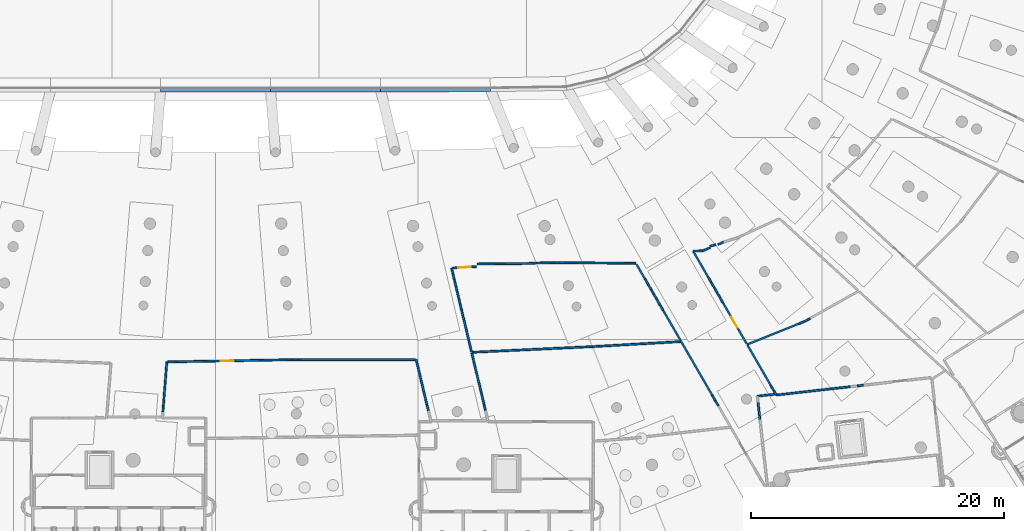
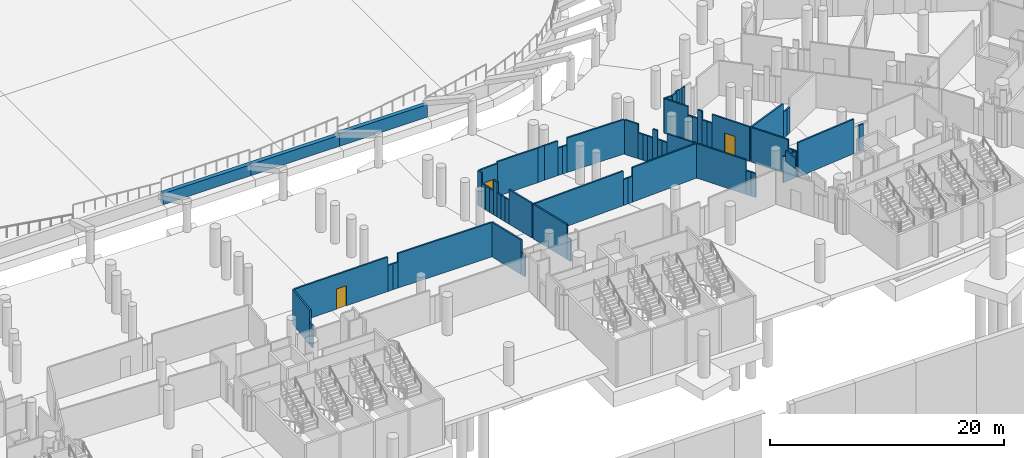
# One storey, part 53 of 142: 65 walls, 3 doors, 3 openings.
"""IFC4 building model written with IfcOpenShell, lengths in metres."""

from ifc_helpers import new_model, si_unit, direction, frame, frame_2d, origin, place, context, subcontext, project, spatial, rectangle, extrude, material, layer, layer_set, type_object, element, fill, save


model = new_model("IFC4")

# Units and contexts
model_context = context("Model", 3, precision=1e-05, world=origin(), true_north=direction((0.0, 1.0)))
body_context = subcontext(model_context, "Body", "Model", "MODEL_VIEW")
ifc_project = project(units=[si_unit("LENGTHUNIT", "METRE"), si_unit("AREAUNIT", "SQUARE_METRE"), si_unit("VOLUMEUNIT", "CUBIC_METRE"), si_unit("PLANEANGLEUNIT", "RADIAN"), si_unit("MASSUNIT", "GRAM", prefix="KILO")], contexts=[model_context])

# Site, building, storey
site_placement = place(None, origin())
site = spatial("IfcSite", under=ifc_project, at=site_placement, CompositionType="ELEMENT")
building_placement = place(site_placement, origin())
building = spatial("IfcBuilding", under=site, at=building_placement, Name="Meseta Stadium", CompositionType="ELEMENT")
storey_placement = place(building_placement, frame((0.0, 0.0, -4.0)))
storey = spatial("IfcBuildingStorey", under=building, at=storey_placement, Name="B1", CompositionType="ELEMENT", Elevation=-4.0)

# Walls
ifc_material_1 = material(Name="Masonry blockwork", Category="masonry")
ifc_layer_1 = layer(ifc_material_1, 0.14990234375)
ifc_layer_set_1 = layer_set([ifc_layer_1], Name="Partition 150")
wall_type_1 = type_object("IfcWallType", Name="Partition 150", PredefinedType="PARTITIONING", material=ifc_layer_set_1)
wall_1_placement = place(storey_placement, frame((15.876220703125, -81.57861328125, 0.0), z_axis=(0.0, 0.0, 1.0), x_axis=(0.231653421041, -0.972798382256, 0.0)))
element("IfcWall", 1, at=wall_1_placement, inside=storey, type_object=wall_type_1, Name="Partition B1 B1-cell23-1-0", PredefinedType="PARTITIONING", context=body_context, shape_type="SweptSolid", body=[
    extrude(rectangle(XDim=3.67919921875, YDim=0.14990234375, at=frame_2d((1.839599609375, 0.0))), origin(), (0.0, 0.0, 1.0), 3.60009765625),
])
wall_2_placement = place(storey_placement, frame((16.728515625, -85.15771484375, 0.0), z_axis=(0.0, 0.0, 1.0), x_axis=(0.231405261986, -0.972857443167, 0.0)))
element("IfcWall", 2, at=wall_2_placement, inside=storey, type_object=wall_type_1, Name="Partition B1 B1-cell23-1-0", PredefinedType="PARTITIONING", context=body_context, shape_type="SweptSolid", body=[
    extrude(rectangle(XDim=0.4599609375, YDim=0.14990234375, at=frame_2d((0.22998046875, 0.0))), origin(), (0.0, 0.0, 1.0), 2.300048828125),
])
wall_3_placement = place(storey_placement, frame((-4.166748046875, -85.70703125, 0.0), z_axis=(0.0, 0.0, 1.0), x_axis=(0.079529255553, 0.99683253233, 0.0)))
element("IfcWall", 3, at=wall_3_placement, inside=storey, type_object=wall_type_1, Name="Partition B1 B1-cell23-1-0", PredefinedType="PARTITIONING", context=body_context, shape_type="SweptSolid", body=[
    extrude(rectangle(XDim=0.494140625, YDim=0.14990234375, at=frame_2d((0.2470703125, 0.0))), origin(), (0.0, 0.0, 1.0), 2.300048828125),
])
wall_4_placement = place(storey_placement, frame((-4.12744140625, -85.21435546875, 0.0), z_axis=(0.0, 0.0, 1.0), x_axis=(0.079080692969, 0.99686821797, 0.0)))
element("IfcWall", 4, at=wall_4_placement, inside=storey, type_object=wall_type_1, Name="Partition B1 B1-cell23-1-0", PredefinedType="PARTITIONING", context=body_context, shape_type="SweptSolid", body=[
    extrude(rectangle(XDim=3.460693359375, YDim=0.14990234375, at=frame_2d((1.73046875, 0.0))), origin(), (0.0, 0.0, 1.0), 3.60009765625),
])

# Wall, opening, door
wall_5_placement = place(storey_placement, frame((-3.7783203125, -81.762939453125, 0.0), z_axis=(0.0, 0.0, 1.0), x_axis=(0.999845432781, 0.017581539953, 0.0)))
wall_5 = element("IfcWall", 5, at=wall_5_placement, inside=storey, type_object=wall_type_1, Name="Partition B1 B1-cell23-1-0", PredefinedType="PARTITIONING", context=body_context, shape_type="SweptSolid", body=[
    extrude(rectangle(XDim=9.33154296875, YDim=0.14990234375, at=frame_2d((4.665771484375, 0.0))), origin(), (0.0, 0.0, 1.0), 3.60009765625),
])
opening_1_placement = place(wall_5_placement, frame((4.199951171875, 0.0, 0.0)))
opening_1 = element("IfcOpeningElement", 6, at=opening_1_placement, cuts=wall_5, Name="Opening D499", PredefinedType="OPENING", context=body_context, shape_type="SweptSolid", body=[
    extrude(rectangle(XDim=1.0, YDim=2.10009765625, at=frame_2d((0.5, 1.050048828125))), frame((0.0, 0.0849609375, 0.0), z_axis=(0.0, -1.0, 0.0), x_axis=(1.0, 0.0, 0.0)), (0.0, 0.0, 1.0), 0.169921875),
])
ifc_material_2 = material(Name="Steel", Category="steel")
door_type = type_object("IfcDoorType", Name="Fire door 1000x2100 EI2 60", OperationType="NOTDEFINED", PredefinedType="DOOR", material=ifc_material_2)
door_1_placement = place(opening_1_placement, origin())
door_1 = element("IfcDoor", 7, at=door_1_placement, inside=storey, type_object=door_type, Name="Door D499", OperationType="SINGLE_SWING_LEFT", OverallHeight=2.10009765625, OverallWidth=1.0, PredefinedType="DOOR", context=body_context, shape_type="SweptSolid", body=[
    extrude(rectangle(XDim=1.0, YDim=2.10009765625, at=frame_2d((0.5, 1.050048828125))), frame((0.0, 0.02490234375, 0.0), z_axis=(0.0, -1.0, 0.0), x_axis=(1.0, 0.0, 0.0)), (0.0, 0.0, 1.0), 0.050048828125),
])
fill(opening_1, door_1)

# Walls
wall_6_placement = place(storey_placement, frame((5.5517578125, -81.598876953125, 0.0), z_axis=(0.0, 0.0, 1.0), x_axis=(0.999842479718, 0.017748683072, 0.0)))
element("IfcWall", 8, at=wall_6_placement, inside=storey, type_object=wall_type_1, Name="Partition B1 B1-cell23-1-0", PredefinedType="PARTITIONING", context=body_context, shape_type="SweptSolid", body=[
    extrude(rectangle(XDim=0.4951171875, YDim=0.14990234375, at=frame_2d((0.24755859375, 0.0))), origin(), (0.0, 0.0, 1.0), 2.699951171875),
])
wall_7_placement = place(storey_placement, frame((6.046875, -81.590087890625, 0.0), z_axis=(0.0, 0.0, 1.0), x_axis=(0.999999506438, 0.000993541487, 0.0)))
element("IfcWall", 9, at=wall_7_placement, inside=storey, type_object=wall_type_1, Name="Partition B1 B1-cell23-1-0", PredefinedType="PARTITIONING", context=body_context, shape_type="SweptSolid", body=[
    extrude(rectangle(XDim=0.491455078125, YDim=0.14990234375, at=frame_2d((0.24560546875, 0.0))), origin(), (0.0, 0.0, 1.0), 2.699951171875),
])
wall_8_placement = place(storey_placement, frame((6.538330078125, -81.589599609375, 0.0), z_axis=(0.0, 0.0, 1.0), x_axis=(0.99999932727, 0.001159939114, 0.0)))
element("IfcWall", 10, at=wall_8_placement, inside=storey, type_object=wall_type_1, Name="Partition B1 B1-cell23-1-0", PredefinedType="PARTITIONING", context=body_context, shape_type="SweptSolid", body=[
    extrude(rectangle(XDim=9.260986328125, YDim=0.14990234375, at=frame_2d((4.63037109375, 0.0))), origin(), (0.0, 0.0, 1.0), 3.60009765625),
])
wall_9_placement = place(storey_placement, frame((36.84228515625, -80.15380859375, 0.0), z_axis=(0.0, 0.0, 1.0), x_axis=(-0.998361145806, -0.057227812689, 0.0)))
element("IfcWall", 11, at=wall_9_placement, inside=storey, type_object=wall_type_1, Name="Partition B1 B1-cell24-1-0", PredefinedType="PARTITIONING", context=body_context, shape_type="SweptSolid", body=[
    extrude(rectangle(XDim=6.561279296875, YDim=0.14990234375, at=frame_2d((3.28076171875, 0.0))), origin(), (0.0, 0.0, 1.0), 3.60009765625),
])
wall_10_placement = place(storey_placement, frame((30.291748046875, -80.529296875, 0.0), z_axis=(0.0, 0.0, 1.0), x_axis=(-0.998356035671, -0.057316891401, 0.0)))
element("IfcWall", 12, at=wall_10_placement, inside=storey, type_object=wall_type_1, Name="Partition B1 B1-cell24-1-0", PredefinedType="PARTITIONING", context=body_context, shape_type="SweptSolid", body=[
    extrude(rectangle(XDim=0.468505859375, YDim=0.14990234375, at=frame_2d((0.234375, 0.0))), origin(), (0.0, 0.0, 1.0), 2.699951171875),
])
wall_11_placement = place(storey_placement, frame((29.823974609375, -80.55615234375, 0.0), z_axis=(0.0, 0.0, 1.0), x_axis=(-0.998899071447, -0.046911033473, 0.0)))
element("IfcWall", 13, at=wall_11_placement, inside=storey, type_object=wall_type_1, Name="Partition B1 B1-cell24-1-0", PredefinedType="PARTITIONING", context=body_context, shape_type="SweptSolid", body=[
    extrude(rectangle(XDim=0.478759765625, YDim=0.14990234375, at=frame_2d((0.2392578125, 0.0))), origin(), (0.0, 0.0, 1.0), 2.699951171875),
])
wall_12_placement = place(storey_placement, frame((29.345703125, -80.57861328125, 0.0), z_axis=(0.0, 0.0, 1.0), x_axis=(-0.998901839674, -0.04685205113, 0.0)))
element("IfcWall", 14, at=wall_12_placement, inside=storey, type_object=wall_type_1, Name="Partition B1 B1-cell24-1-0", PredefinedType="PARTITIONING", context=body_context, shape_type="SweptSolid", body=[
    extrude(rectangle(XDim=9.093017578125, YDim=0.14990234375, at=frame_2d((4.54638671875, 0.0))), origin(), (0.0, 0.0, 1.0), 3.60009765625),
])
wall_13_placement = place(storey_placement, frame((20.244873046875, -80.930419921875, 0.0), z_axis=(0.0, 0.0, 1.0), x_axis=(-0.231566636988, 0.972819044136, 0.0)))
element("IfcWall", 15, at=wall_13_placement, inside=storey, type_object=wall_type_1, Name="Partition B1 B1-cell24-1-0", PredefinedType="PARTITIONING", context=body_context, shape_type="SweptSolid", body=[
    extrude(rectangle(XDim=2.858154296875, YDim=0.14990234375, at=frame_2d((1.42919921875, 0.0))), origin(), (0.0, 0.0, 1.0), 3.60009765625),
])
wall_14_placement = place(storey_placement, frame((19.5830078125, -78.14990234375, 0.0), z_axis=(0.0, 0.0, 1.0), x_axis=(-0.23171054262, 0.972784778067, 0.0)))
element("IfcWall", 16, at=wall_14_placement, inside=storey, type_object=wall_type_1, Name="Partition B1 B1-cell24-1-0", PredefinedType="PARTITIONING", context=body_context, shape_type="SweptSolid", body=[
    extrude(rectangle(XDim=0.48876953125, YDim=0.14990234375, at=frame_2d((0.244384765625, 0.0))), origin(), (0.0, 0.0, 1.0), 2.5),
])
for number, where, z_axis, x_axis, name in (
    (17, (19.4697265625, -77.67431640625, 0.0), (0.0, 0.0, 1.0), (-0.231598034095, 0.972811569937, 0.0), "Partition B1 B1-cell24-1-0"),
    (18, (19.3564453125, -77.198486328125, 0.0), (0.0, 0.0, 1.0), (-0.231598034095, 0.972811569937, 0.0), "Partition B1 B1-cell24-1-0"),
):
    element("IfcWall", number, at=place(storey_placement, frame(where, z_axis=z_axis, x_axis=x_axis)), inside=storey, type_object=wall_type_1, Name=name, PredefinedType="PARTITIONING", context=body_context, shape_type="SweptSolid", body=[
        extrude(rectangle(XDim=0.489013671875, YDim=0.14990234375, at=frame_2d((0.24462890625, 0.0))), origin(), (0.0, 0.0, 1.0), 2.5),
    ])
wall_15_placement = place(storey_placement, frame((19.2431640625, -76.72265625, 0.0), z_axis=(0.0, 0.0, 1.0), x_axis=(-0.23171054262, 0.972784778067, 0.0)))
element("IfcWall", 19, at=wall_15_placement, inside=storey, type_object=wall_type_1, Name="Partition B1 B1-cell24-1-0", PredefinedType="PARTITIONING", context=body_context, shape_type="SweptSolid", body=[
    extrude(rectangle(XDim=0.48876953125, YDim=0.14990234375, at=frame_2d((0.244384765625, 0.0))), origin(), (0.0, 0.0, 1.0), 3.60009765625),
])
for number, where, z_axis, x_axis, name in (
    (20, (19.1298828125, -76.2470703125, 0.0), (0.0, 0.0, 1.0), (-0.231598034095, 0.972811569937, 0.0), "Partition B1 B1-cell24-1-0"),
    (21, (19.0166015625, -75.771240234375, 0.0), (0.0, 0.0, 1.0), (-0.231598034095, 0.972811569937, 0.0), "Partition B1 B1-cell24-1-0"),
    (22, (18.9033203125, -75.29541015625, 0.0), (0.0, 0.0, 1.0), (-0.231598034095, 0.972811569937, 0.0), "Partition B1 B1-cell24-1-0"),
):
    element("IfcWall", number, at=place(storey_placement, frame(where, z_axis=z_axis, x_axis=x_axis)), inside=storey, type_object=wall_type_1, Name=name, PredefinedType="PARTITIONING", context=body_context, shape_type="SweptSolid", body=[
        extrude(rectangle(XDim=0.489013671875, YDim=0.14990234375, at=frame_2d((0.24462890625, 0.0))), origin(), (0.0, 0.0, 1.0), 2.5),
    ])
wall_16_placement = place(storey_placement, frame((18.7900390625, -74.819580078125, 0.0), z_axis=(0.0, 0.0, 1.0), x_axis=(-0.23171054262, 0.972784778067, 0.0)))
element("IfcWall", 23, at=wall_16_placement, inside=storey, type_object=wall_type_1, Name="Partition B1 B1-cell24-1-0", PredefinedType="PARTITIONING", context=body_context, shape_type="SweptSolid", body=[
    extrude(rectangle(XDim=0.48876953125, YDim=0.14990234375, at=frame_2d((0.244384765625, 0.0))), origin(), (0.0, 0.0, 1.0), 3.60009765625),
])

# Wall, opening, door
wall_17_placement = place(storey_placement, frame((18.752685546875, -74.33935546875, 0.0), z_axis=(0.0, 0.0, 1.0), x_axis=(0.998171846441, 0.060439763179, 0.0)))
wall_17 = element("IfcWall", 24, at=wall_17_placement, inside=storey, type_object=wall_type_1, Name="Partition B1 B1-cell24-1-0", PredefinedType="PARTITIONING", context=body_context, shape_type="SweptSolid", body=[
    extrude(rectangle(XDim=1.8662109375, YDim=0.14990234375, at=frame_2d((0.93310546875, 0.0))), origin(), (0.0, 0.0, 1.0), 3.60009765625),
])
opening_2_placement = place(wall_17_placement, frame((0.449951171875, 0.0, 0.0)))
opening_2 = element("IfcOpeningElement", 25, at=opening_2_placement, cuts=wall_17, Name="Opening D501", PredefinedType="OPENING", context=body_context, shape_type="SweptSolid", body=[
    extrude(rectangle(XDim=1.0, YDim=2.10009765625, at=frame_2d((0.5, 1.050048828125))), frame((0.0, 0.0849609375, 0.0), z_axis=(0.0, -1.0, 0.0), x_axis=(1.0, 0.0, 0.0)), (0.0, 0.0, 1.0), 0.169921875),
])
door_2_placement = place(opening_2_placement, origin())
door_2 = element("IfcDoor", 26, at=door_2_placement, inside=storey, type_object=door_type, Name="Door D501", OperationType="SINGLE_SWING_RIGHT", OverallHeight=2.10009765625, OverallWidth=1.0, PredefinedType="DOOR", context=body_context, shape_type="SweptSolid", body=[
    extrude(rectangle(XDim=1.0, YDim=2.10009765625, at=frame_2d((0.5, 1.050048828125))), frame((0.0, 0.02490234375, 0.0), z_axis=(0.0, -1.0, 0.0), x_axis=(1.0, 0.0, 0.0)), (0.0, 0.0, 1.0), 0.050048828125),
])
fill(opening_2, door_2)

# Walls
wall_18_placement = place(storey_placement, frame((20.7080078125, -74.01416015625, 0.0), z_axis=(0.0, 0.0, 1.0), x_axis=(0.99995914517, 0.009039247263, 0.0)))
element("IfcWall", 27, at=wall_18_placement, inside=storey, type_object=wall_type_1, Name="Partition B1 B1-cell24-1-0", PredefinedType="PARTITIONING", context=body_context, shape_type="SweptSolid", body=[
    extrude(rectangle(XDim=4.0244140625, YDim=0.14990234375, at=frame_2d((2.01220703125, 0.0))), origin(), (0.0, 0.0, 1.0), 3.60009765625),
])
wall_19_placement = place(storey_placement, frame((24.732177734375, -73.977783203125, 0.0), z_axis=(0.0, 0.0, 1.0), x_axis=(0.998172640671, 0.060426644914, 0.0)))
element("IfcWall", 28, at=wall_19_placement, inside=storey, type_object=wall_type_1, Name="Partition B1 B1-cell24-1-0", PredefinedType="PARTITIONING", context=body_context, shape_type="SweptSolid", body=[
    extrude(rectangle(XDim=0.646484375, YDim=0.14990234375, at=frame_2d((0.3232421875, 0.0))), origin(), (0.0, 0.0, 1.0), 3.60009765625),
])
wall_20_placement = place(storey_placement, frame((25.37744140625, -73.938720703125, 0.0), z_axis=(0.0, 0.0, 1.0), x_axis=(0.999868874003, 0.016193665406, 0.0)))
element("IfcWall", 29, at=wall_20_placement, inside=storey, type_object=wall_type_1, Name="Partition B1 B1-cell24-1-0", PredefinedType="PARTITIONING", context=body_context, shape_type="SweptSolid", body=[
    extrude(rectangle(XDim=1.35693359375, YDim=0.14990234375, at=frame_2d((0.678466796875, 0.0))), origin(), (0.0, 0.0, 1.0), 3.60009765625),
])
wall_21_placement = place(storey_placement, frame((26.734130859375, -73.916748046875, 0.0), z_axis=(0.0, 0.0, 1.0), x_axis=(0.999868826807, 0.016196579268, 0.0)))
element("IfcWall", 30, at=wall_21_placement, inside=storey, type_object=wall_type_1, Name="Partition B1 B1-cell24-1-0", PredefinedType="PARTITIONING", context=body_context, shape_type="SweptSolid", body=[
    extrude(rectangle(XDim=0.4521484375, YDim=0.14990234375, at=frame_2d((0.22607421875, 0.0))), origin(), (0.0, 0.0, 1.0), 2.85009765625),
])
wall_22_placement = place(storey_placement, frame((27.186279296875, -73.909423828125, 0.0), z_axis=(0.0, 0.0, 1.0), x_axis=(0.999960599238, -0.008876934824, 0.0)))
element("IfcWall", 31, at=wall_22_placement, inside=storey, type_object=wall_type_1, Name="Partition B1 B1-cell24-1-0", PredefinedType="PARTITIONING", context=body_context, shape_type="SweptSolid", body=[
    extrude(rectangle(XDim=0.467529296875, YDim=0.14990234375, at=frame_2d((0.23388671875, 0.0))), origin(), (0.0, 0.0, 1.0), 2.85009765625),
])
wall_23_placement = place(storey_placement, frame((27.65380859375, -73.91357421875, 0.0), z_axis=(0.0, 0.0, 1.0), x_axis=(0.999961742838, -0.008747162952, 0.0)))
element("IfcWall", 32, at=wall_23_placement, inside=storey, type_object=wall_type_1, Name="Partition B1 B1-cell24-1-0", PredefinedType="PARTITIONING", context=body_context, shape_type="SweptSolid", body=[
    extrude(rectangle(XDim=5.610107421875, YDim=0.14990234375, at=frame_2d((2.80517578125, 0.0))), origin(), (0.0, 0.0, 1.0), 3.60009765625),
])
wall_24_placement = place(storey_placement, frame((33.307373046875, -74.0380859375, 0.0), z_axis=(0.0, 0.0, 1.0), x_axis=(0.500498691125, -0.865737292822, 0.0)))
element("IfcWall", 33, at=wall_24_placement, inside=storey, type_object=wall_type_1, Name="Partition B1 B1-cell24-1-0", PredefinedType="PARTITIONING", context=body_context, shape_type="SweptSolid", body=[
    extrude(rectangle(XDim=1.343017578125, YDim=0.14990234375, at=frame_2d((0.67138671875, 0.0))), origin(), (0.0, 0.0, 1.0), 3.60009765625),
])
for number, where, z_axis, x_axis, name in (
    (34, (33.9794921875, -75.20068359375, 0.0), (0.0, 0.0, 1.0), (0.500269066908, -0.865870002192, 0.0), "Partition B1 B1-cell24-1-0"),
    (35, (34.218017578125, -75.613525390625, 0.0), (0.0, 0.0, 1.0), (0.500269066908, -0.865870002192, 0.0), "Partition B1 B1-cell24-1-0"),
    (36, (34.45654296875, -76.0263671875, 0.0), (0.0, 0.0, 1.0), (0.500269066908, -0.865870002192, 0.0), "Partition B1 B1-cell24-1-0"),
):
    element("IfcWall", number, at=place(storey_placement, frame(where, z_axis=z_axis, x_axis=x_axis)), inside=storey, type_object=wall_type_1, Name=name, PredefinedType="PARTITIONING", context=body_context, shape_type="SweptSolid", body=[
        extrude(rectangle(XDim=0.476806640625, YDim=0.14990234375, at=frame_2d((0.23828125, 0.0))), origin(), (0.0, 0.0, 1.0), 2.699951171875),
    ])
wall_25_placement = place(storey_placement, frame((34.695068359375, -76.439208984375, 0.0), z_axis=(0.0, 0.0, 1.0), x_axis=(0.500490950841, -0.865741767576, 0.0)))
element("IfcWall", 37, at=wall_25_placement, inside=storey, type_object=wall_type_1, Name="Partition B1 B1-cell24-1-0", PredefinedType="PARTITIONING", context=body_context, shape_type="SweptSolid", body=[
    extrude(rectangle(XDim=0.4765625, YDim=0.14990234375, at=frame_2d((0.23828125, 0.0))), origin(), (0.0, 0.0, 1.0), 3.60009765625),
])
for number, where, z_axis, x_axis, name in (
    (38, (34.93359375, -76.851806640625, 0.0), (0.0, 0.0, 1.0), (0.500874756494, -0.865519773493, 0.0), "Partition B1 B1-cell24-1-0"),
    (39, (35.17236328125, -77.264404296875, 0.0), (0.0, 0.0, 1.0), (0.500269066908, -0.865870002192, 0.0), "Partition B1 B1-cell24-1-0"),
):
    element("IfcWall", number, at=place(storey_placement, frame(where, z_axis=z_axis, x_axis=x_axis)), inside=storey, type_object=wall_type_1, Name=name, PredefinedType="PARTITIONING", context=body_context, shape_type="SweptSolid", body=[
        extrude(rectangle(XDim=0.476806640625, YDim=0.14990234375, at=frame_2d((0.23828125, 0.0))), origin(), (0.0, 0.0, 1.0), 2.699951171875),
    ])
wall_26_placement = place(storey_placement, frame((35.410888671875, -77.67724609375, 0.0), z_axis=(0.0, 0.0, 1.0), x_axis=(0.500422625408, -0.865781263357, 0.0)))
element("IfcWall", 40, at=wall_26_placement, inside=storey, type_object=wall_type_1, Name="Partition B1 B1-cell24-1-0", PredefinedType="PARTITIONING", context=body_context, shape_type="SweptSolid", body=[
    extrude(rectangle(XDim=2.7763671875, YDim=0.14990234375, at=frame_2d((1.38818359375, 0.0))), origin(), (0.0, 0.0, 1.0), 3.60009765625),
])
wall_27_placement = place(storey_placement, frame((36.8671875, -80.197021484375, 0.0), z_axis=(0.0, 0.0, 1.0), x_axis=(0.50047176729, -0.865752857429, 0.0)))
element("IfcWall", 41, at=wall_27_placement, inside=storey, type_object=wall_type_1, Name="Partition B1 B1-cell24-2-0", PredefinedType="PARTITIONING", context=body_context, shape_type="SweptSolid", body=[
    extrude(rectangle(XDim=4.859619140625, YDim=0.14990234375, at=frame_2d((2.4296875, 0.0))), origin(), (0.0, 0.0, 1.0), 3.60009765625),
])
for number, where, z_axis, x_axis, name in (
    (42, (39.29931640625, -84.404296875, 0.0), (0.0, 0.0, 1.0), (0.500461757949, -0.86575864352, 0.0), "Partition B1 B1-cell24-2-0"),
    (43, (39.54248046875, -84.824951171875, 0.0), (0.0, 0.0, 1.0), (0.500461757949, -0.86575864352, 0.0), "Partition B1 B1-cell24-2-0"),
):
    element("IfcWall", number, at=place(storey_placement, frame(where, z_axis=z_axis, x_axis=x_axis)), inside=storey, type_object=wall_type_1, Name=name, PredefinedType="PARTITIONING", context=body_context, shape_type="SweptSolid", body=[
        extrude(rectangle(XDim=0.48583984375, YDim=0.14990234375, at=frame_2d((0.242919921875, 0.0))), origin(), (0.0, 0.0, 1.0), 2.5),
    ])
wall_28_placement = place(storey_placement, frame((21.35498046875, -85.59228515625, 0.0), z_axis=(0.0, 0.0, 1.0), x_axis=(-0.231809170102, 0.972761280406, 0.0)))
element("IfcWall", 44, at=wall_28_placement, inside=storey, type_object=wall_type_1, Name="Partition B1 B1-cell24-2-0", PredefinedType="PARTITIONING", context=body_context, shape_type="SweptSolid", body=[
    extrude(rectangle(XDim=0.466552734375, YDim=0.14990234375, at=frame_2d((0.2333984375, 0.0))), origin(), (0.0, 0.0, 1.0), 2.300048828125),
])
wall_29_placement = place(storey_placement, frame((21.246826171875, -85.138427734375, 0.0), z_axis=(0.0, 0.0, 1.0), x_axis=(-0.231615286229, 0.972807462546, 0.0)))
element("IfcWall", 45, at=wall_29_placement, inside=storey, type_object=wall_type_1, Name="Partition B1 B1-cell24-2-0", PredefinedType="PARTITIONING", context=body_context, shape_type="SweptSolid", body=[
    extrude(rectangle(XDim=4.198486328125, YDim=0.14990234375, at=frame_2d((2.09912109375, 0.0))), origin(), (0.0, 0.0, 1.0), 3.60009765625),
])
wall_30_placement = place(storey_placement, frame((47.0380859375, -78.318115234375, 0.0), z_axis=(0.0, 0.0, 1.0), x_axis=(-0.871868098828, -0.489740766371, 0.0)))
element("IfcWall", 46, at=wall_30_placement, inside=storey, type_object=wall_type_1, Name="Partition B1 B1-cell25-1-0", PredefinedType="PARTITIONING", context=body_context, shape_type="SweptSolid", body=[
    extrude(rectangle(XDim=0.489990234375, YDim=0.14990234375, at=frame_2d((0.2451171875, 0.0))), origin(), (0.0, 0.0, 1.0), 2.699951171875),
])
wall_31_placement = place(storey_placement, frame((46.61083984375, -78.55810546875, 0.0), z_axis=(0.0, 0.0, 1.0), x_axis=(-0.927719635042, -0.373277750151, 0.0)))
element("IfcWall", 47, at=wall_31_placement, inside=storey, type_object=wall_type_1, Name="Partition B1 B1-cell25-1-0", PredefinedType="PARTITIONING", context=body_context, shape_type="SweptSolid", body=[
    extrude(rectangle(XDim=0.490478515625, YDim=0.14990234375, at=frame_2d((0.2451171875, 0.0))), origin(), (0.0, 0.0, 1.0), 2.699951171875),
])
wall_32_placement = place(storey_placement, frame((46.15576171875, -78.7412109375, 0.0), z_axis=(0.0, 0.0, 1.0), x_axis=(-0.927823061979, -0.373020596832, 0.0)))
element("IfcWall", 48, at=wall_32_placement, inside=storey, type_object=wall_type_1, Name="Partition B1 B1-cell25-1-0", PredefinedType="PARTITIONING", context=body_context, shape_type="SweptSolid", body=[
    extrude(rectangle(XDim=4.41455078125, YDim=0.14990234375, at=frame_2d((2.207275390625, 0.0))), origin(), (0.0, 0.0, 1.0), 3.60009765625),
])

# Wall, opening, door
wall_33_placement = place(storey_placement, frame((42.02197265625, -80.322509765625, 0.0), z_axis=(0.0, 0.0, 1.0), x_axis=(-0.500394582155, 0.865797471786, 0.0)))
wall_33 = element("IfcWall", 49, at=wall_33_placement, inside=storey, type_object=wall_type_1, Name="Partition B1 B1-cell25-1-0", PredefinedType="PARTITIONING", context=body_context, shape_type="SweptSolid", body=[
    extrude(rectangle(XDim=3.72021484375, YDim=0.14990234375, at=frame_2d((1.860107421875, 0.0))), origin(), (0.0, 0.0, 1.0), 3.60009765625),
])
opening_3_placement = place(wall_33_placement, frame((1.449951171875, 0.0, 0.0)))
opening_3 = element("IfcOpeningElement", 50, at=opening_3_placement, cuts=wall_33, Name="Opening D504", PredefinedType="OPENING", context=body_context, shape_type="SweptSolid", body=[
    extrude(rectangle(XDim=1.0, YDim=2.10009765625, at=frame_2d((0.5, 1.050048828125))), frame((0.0, 0.0849609375, 0.0), z_axis=(0.0, -1.0, 0.0), x_axis=(1.0, 0.0, 0.0)), (0.0, 0.0, 1.0), 0.169921875),
])
door_3_placement = place(opening_3_placement, origin())
door_3 = element("IfcDoor", 51, at=door_3_placement, inside=storey, type_object=door_type, Name="Door D504", OperationType="SINGLE_SWING_RIGHT", OverallHeight=2.10009765625, OverallWidth=1.0, PredefinedType="DOOR", context=body_context, shape_type="SweptSolid", body=[
    extrude(rectangle(XDim=1.0, YDim=2.10009765625, at=frame_2d((0.5, 1.050048828125))), frame((0.0, 0.02490234375, 0.0), z_axis=(0.0, -1.0, 0.0), x_axis=(1.0, 0.0, 0.0)), (0.0, 0.0, 1.0), 0.050048828125),
])
fill(opening_3, door_3)

# Walls
wall_34_placement = place(storey_placement, frame((40.160400390625, -77.1015625, 0.0), z_axis=(0.0, 0.0, 1.0), x_axis=(-0.500731947747, 0.865602400936, 0.0)))
element("IfcWall", 52, at=wall_34_placement, inside=storey, type_object=wall_type_1, Name="Partition B1 B1-cell25-1-0", PredefinedType="PARTITIONING", context=body_context, shape_type="SweptSolid", body=[
    extrude(rectangle(XDim=0.474365234375, YDim=0.14990234375, at=frame_2d((0.2373046875, 0.0))), origin(), (0.0, 0.0, 1.0), 2.699951171875),
])
wall_35_placement = place(storey_placement, frame((39.9228515625, -76.69091796875, 0.0), z_axis=(0.0, 0.0, 1.0), x_axis=(-0.500508973279, 0.865731348437, 0.0)))
element("IfcWall", 53, at=wall_35_placement, inside=storey, type_object=wall_type_1, Name="Partition B1 B1-cell25-1-0", PredefinedType="PARTITIONING", context=body_context, shape_type="SweptSolid", body=[
    extrude(rectangle(XDim=0.474609375, YDim=0.14990234375, at=frame_2d((0.2373046875, 0.0))), origin(), (0.0, 0.0, 1.0), 2.699951171875),
])
wall_36_placement = place(storey_placement, frame((39.685302734375, -76.280029296875, 0.0), z_axis=(0.0, 0.0, 1.0), x_axis=(-0.50012328804, 0.865954211699, 0.0)))
element("IfcWall", 54, at=wall_36_placement, inside=storey, type_object=wall_type_1, Name="Partition B1 B1-cell25-1-0", PredefinedType="PARTITIONING", context=body_context, shape_type="SweptSolid", body=[
    extrude(rectangle(XDim=0.474609375, YDim=0.14990234375, at=frame_2d((0.2373046875, 0.0))), origin(), (0.0, 0.0, 1.0), 3.60009765625),
])
wall_37_placement = place(storey_placement, frame((39.447998046875, -75.869140625, 0.0), z_axis=(0.0, 0.0, 1.0), x_axis=(-0.500731947747, 0.865602400936, 0.0)))
element("IfcWall", 55, at=wall_37_placement, inside=storey, type_object=wall_type_1, Name="Partition B1 B1-cell25-1-0", PredefinedType="PARTITIONING", context=body_context, shape_type="SweptSolid", body=[
    extrude(rectangle(XDim=0.474365234375, YDim=0.14990234375, at=frame_2d((0.2373046875, 0.0))), origin(), (0.0, 0.0, 1.0), 2.699951171875),
])
wall_38_placement = place(storey_placement, frame((39.21044921875, -75.45849609375, 0.0), z_axis=(0.0, 0.0, 1.0), x_axis=(-0.500508973279, 0.865731348437, 0.0)))
element("IfcWall", 56, at=wall_38_placement, inside=storey, type_object=wall_type_1, Name="Partition B1 B1-cell25-1-0", PredefinedType="PARTITIONING", context=body_context, shape_type="SweptSolid", body=[
    extrude(rectangle(XDim=0.474609375, YDim=0.14990234375, at=frame_2d((0.2373046875, 0.0))), origin(), (0.0, 0.0, 1.0), 2.699951171875),
])
wall_39_placement = place(storey_placement, frame((38.972900390625, -75.047607421875, 0.0), z_axis=(0.0, 0.0, 1.0), x_axis=(-0.500400627851, 0.865793977599, 0.0)))
element("IfcWall", 57, at=wall_39_placement, inside=storey, type_object=wall_type_1, Name="Partition B1 B1-cell25-1-0", PredefinedType="PARTITIONING", context=body_context, shape_type="SweptSolid", body=[
    extrude(rectangle(XDim=2.34716796875, YDim=0.14990234375, at=frame_2d((1.173583984375, 0.0))), origin(), (0.0, 0.0, 1.0), 3.60009765625),
])
wall_40_placement = place(storey_placement, frame((37.785888671875, -72.99365234375, 0.0), z_axis=(0.0, 0.0, 1.0), x_axis=(0.999757856649, 0.022005182784, 0.0)))
element("IfcWall", 58, at=wall_40_placement, inside=storey, type_object=wall_type_1, Name="Partition B1 B1-cell25-1-0", PredefinedType="PARTITIONING", context=body_context, shape_type="SweptSolid", body=[
    extrude(rectangle(XDim=0.743408203125, YDim=0.14990234375, at=frame_2d((0.37158203125, 0.0))), origin(), (0.0, 0.0, 1.0), 3.60009765625),
])
wall_41_placement = place(storey_placement, frame((38.529052734375, -72.977294921875, 0.0), z_axis=(0.0, 0.0, 1.0), x_axis=(0.926191303999, 0.377053933007, 0.0)))
element("IfcWall", 59, at=wall_41_placement, inside=storey, type_object=wall_type_1, Name="Partition B1 B1-cell25-1-0", PredefinedType="PARTITIONING", context=body_context, shape_type="SweptSolid", body=[
    extrude(rectangle(XDim=0.638427734375, YDim=0.14990234375, at=frame_2d((0.3193359375, 0.0))), origin(), (0.0, 0.0, 1.0), 3.60009765625),
])
wall_42_placement = place(storey_placement, frame((39.131591796875, -72.6171875, 0.0), z_axis=(0.0, 0.0, 1.0), x_axis=(0.954330903077, 0.298751614944, 0.0)))
element("IfcWall", 60, at=wall_42_placement, inside=storey, type_object=wall_type_1, Name="Partition B1 B1-cell25-1-0", PredefinedType="PARTITIONING", context=body_context, shape_type="SweptSolid", body=[
    extrude(rectangle(XDim=0.466552734375, YDim=0.14990234375, at=frame_2d((0.2333984375, 0.0))), origin(), (0.0, 0.0, 1.0), 3.60009765625),
])
wall_43_placement = place(storey_placement, frame((39.756591796875, -72.476806640625, 0.0), z_axis=(0.0, 0.0, 1.0), x_axis=(0.915041014672, 0.403360808046, 0.0)))
element("IfcWall", 61, at=wall_43_placement, inside=storey, type_object=wall_type_1, Name="Partition B1 B1-cell25-1-0", PredefinedType="PARTITIONING", context=body_context, shape_type="SweptSolid", body=[
    extrude(rectangle(XDim=0.473388671875, YDim=0.14990234375, at=frame_2d((0.23681640625, 0.0))), origin(), (0.0, 0.0, 1.0), 3.60009765625),
])
wall_44_placement = place(storey_placement, frame((51.253173828125, -83.608154296875, 0.0), z_axis=(0.0, 0.0, 1.0), x_axis=(-0.993707998725, -0.112001844941, 0.0)))
element("IfcWall", 62, at=wall_44_placement, inside=storey, type_object=wall_type_1, Name="Partition B1 B1-cell25-2-0", PredefinedType="PARTITIONING", context=body_context, shape_type="SweptSolid", body=[
    extrude(rectangle(XDim=0.494873046875, YDim=0.14990234375, at=frame_2d((0.24755859375, 0.0))), origin(), (0.0, 0.0, 1.0), 2.699951171875),
])
wall_45_placement = place(storey_placement, frame((50.269775390625, -83.718994140625, 0.0), z_axis=(0.0, 0.0, 1.0), x_axis=(-0.993712058641, -0.1119658185, 0.0)))
element("IfcWall", 63, at=wall_45_placement, inside=storey, type_object=wall_type_1, Name="Partition B1 B1-cell25-2-0", PredefinedType="PARTITIONING", context=body_context, shape_type="SweptSolid", body=[
    extrude(rectangle(XDim=5.9375, YDim=0.14990234375, at=frame_2d((2.96875, 0.0))), origin(), (0.0, 0.0, 1.0), 3.60009765625),
])
wall_46_placement = place(storey_placement, frame((44.36962890625, -84.3837890625, 0.0), z_axis=(0.0, 0.0, 1.0), x_axis=(-0.500509211412, 0.865731210765, 0.0)))
element("IfcWall", 64, at=wall_46_placement, inside=storey, type_object=wall_type_1, Name="Partition B1 B1-cell25-2-0", PredefinedType="PARTITIONING", context=body_context, shape_type="SweptSolid", body=[
    extrude(rectangle(XDim=0.45654296875, YDim=0.14990234375, at=frame_2d((0.228271484375, 0.0))), origin(), (0.0, 0.0, 1.0), 2.699951171875),
])
wall_47_placement = place(storey_placement, frame((44.14111328125, -83.988525390625, 0.0), z_axis=(0.0, 0.0, 1.0), x_axis=(-0.500741003624, 0.865597162247, 0.0)))
element("IfcWall", 65, at=wall_47_placement, inside=storey, type_object=wall_type_1, Name="Partition B1 B1-cell25-2-0", PredefinedType="PARTITIONING", context=body_context, shape_type="SweptSolid", body=[
    extrude(rectangle(XDim=0.456298828125, YDim=0.14990234375, at=frame_2d((0.22802734375, 0.0))), origin(), (0.0, 0.0, 1.0), 2.699951171875),
])
wall_48_placement = place(storey_placement, frame((43.91259765625, -83.593505859375, 0.0), z_axis=(0.0, 0.0, 1.0), x_axis=(-0.500416823079, 0.865784617084, 0.0)))
element("IfcWall", 66, at=wall_48_placement, inside=storey, type_object=wall_type_1, Name="Partition B1 B1-cell25-2-0", PredefinedType="PARTITIONING", context=body_context, shape_type="SweptSolid", body=[
    extrude(rectangle(XDim=3.65185546875, YDim=0.14990234375, at=frame_2d((1.825927734375, 0.0))), origin(), (0.0, 0.0, 1.0), 3.60009765625),
])
wall_49_placement = place(storey_placement, frame((44.213623046875, -84.325927734375, 0.0), z_axis=(0.0, 0.0, 1.0), x_axis=(-0.993715812814, -0.11193249467, 0.0)))
element("IfcWall", 67, at=wall_49_placement, inside=storey, type_object=wall_type_1, Name="Stair vestibule wall B1 core 26", PredefinedType="PARTITIONING", context=body_context, shape_type="SweptSolid", body=[
    extrude(rectangle(XDim=1.356689453125, YDim=0.14990234375, at=frame_2d((0.67822265625, 0.0))), origin(), (0.0, 0.0, 1.0), 2.699951171875),
])
wall_50_placement = place(storey_placement, frame((42.918212890625, -84.94482421875, 2.5), z_axis=(0.0, 0.0, 1.0), x_axis=(0.112027737715, -0.993705079982, 0.0)))
element("IfcWall", 68, at=wall_50_placement, inside=storey, type_object=wall_type_1, Name="Stair vestibule wall B1 core 26", PredefinedType="PARTITIONING", context=body_context, shape_type="SweptSolid", body=[
    extrude(rectangle(XDim=1.409912109375, YDim=0.14990234375, at=frame_2d((0.705078125, 0.0))), origin(), (0.0, 0.0, 1.0), 1.10009765625),
])
ifc_material_3 = material(Name="Concrete C40/50", Category="concrete")
ifc_layer_2 = layer(ifc_material_3, 0.39990234375)
ifc_layer_set_2 = layer_set([ifc_layer_2], Name="Pitch wall 400")
wall_type_2 = type_object("IfcWallType", Name="Pitch wall 400", PredefinedType="SOLIDWALL", material=ifc_layer_set_2)
wall_51_placement = place(storey_placement, frame((-4.34912109375, -60.199462890625, -0.39990234375), z_axis=(0.0, 0.0, 1.0), x_axis=(1.0, 0.0, 0.0)))
element("IfcWall", 69, at=wall_51_placement, inside=storey, type_object=wall_type_2, Name="Pitch wall bay 47", PredefinedType="SOLIDWALL", context=body_context, shape_type="SweptSolid", body=[
    extrude(rectangle(XDim=8.6982421875, YDim=0.39990234375, at=frame_2d((4.34912109375, 0.0))), origin(), (0.0, 0.0, 1.0), 1.15869140625),
])
wall_52_placement = place(storey_placement, frame((4.34912109375, -60.199462890625, -0.39990234375), z_axis=(0.0, 0.0, 1.0), x_axis=(0.999999842404, 0.000561419179, 0.0)))
element("IfcWall", 70, at=wall_52_placement, inside=storey, type_object=wall_type_2, Name="Pitch wall bay 48", PredefinedType="SOLIDWALL", context=body_context, shape_type="SweptSolid", body=[
    extrude(rectangle(XDim=8.697265625, YDim=0.39990234375, at=frame_2d((4.3486328125, 0.0))), origin(), (0.0, 0.0, 1.0), 1.15869140625),
])
wall_53_placement = place(storey_placement, frame((13.04638671875, -60.194580078125, -0.39990234375), z_axis=(0.0, 0.0, 1.0), x_axis=(0.999999489017, 0.001010923074, 0.0)))
element("IfcWall", 71, at=wall_53_placement, inside=storey, type_object=wall_type_2, Name="Pitch wall bay 49", PredefinedType="SOLIDWALL", context=body_context, shape_type="SweptSolid", body=[
    extrude(rectangle(XDim=8.694091796875, YDim=0.39990234375, at=frame_2d((4.34716796875, 0.0))), origin(), (0.0, 0.0, 1.0), 1.314453125),
])

save(model, "model.ifc")
